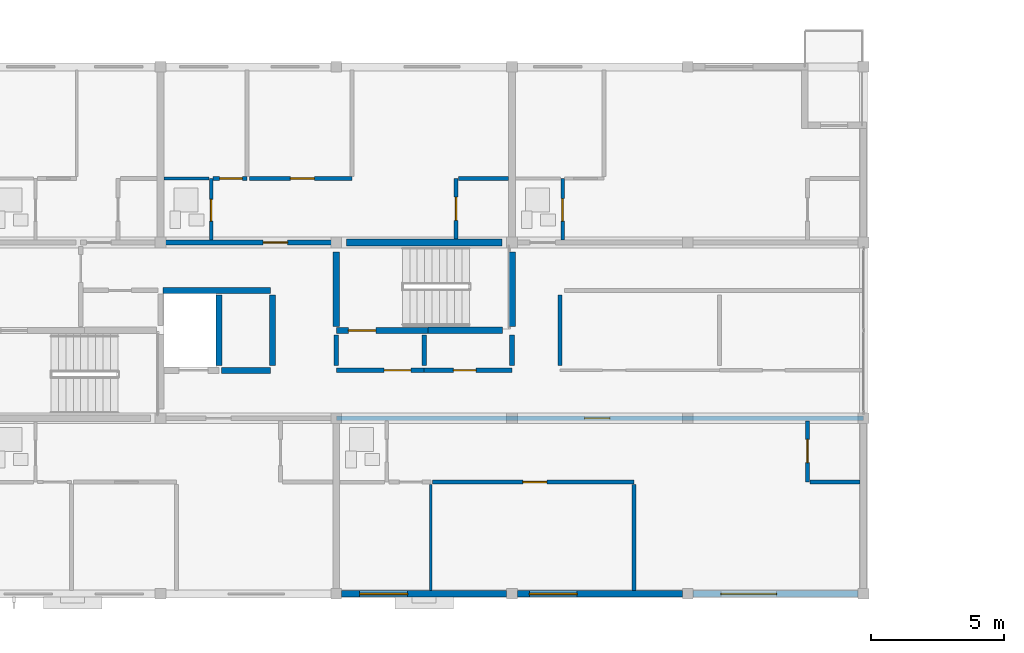
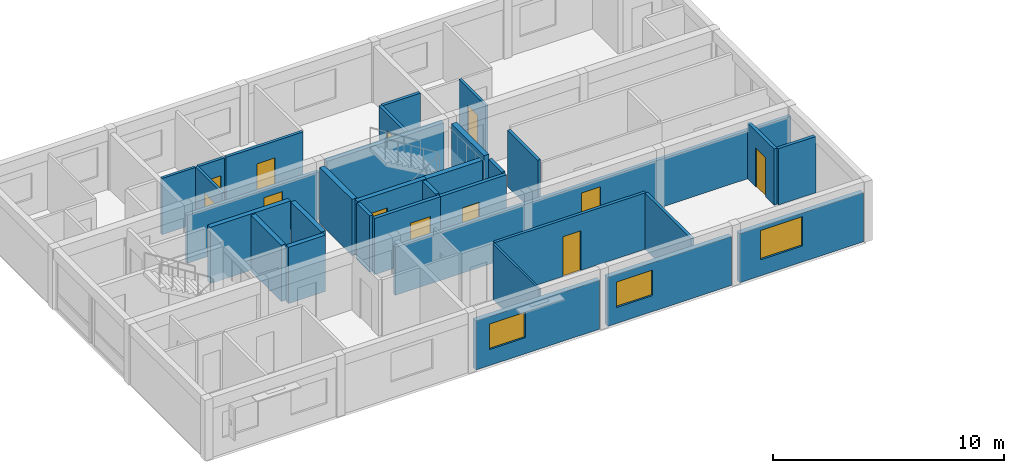
# One storey, part 9 of 15: 32 walls, 12 doors, 3 windows, 15 openings.
"""IFC4 building model written with IfcOpenShell, lengths in metres."""

import ifcopenshell
import ifcopenshell.guid

model = None  # the IFC model being written
_history = None  # IfcOwnerHistory: only IFC2X3 demands one
_inside = {}  # id of a spatial element -> (the spatial element, [elements in it])
_under = {}  # id of a project, library or spatial element -> (it, [spatial elements below it])
_declared = {}  # id of a project -> (the project, [libraries it declares])
_typed = {}  # id of a type object -> (the type object, [elements of that type])
_made_of = {}  # id of a material, layer set ... -> (it, [elements and type objects made of it])


def new_model(schema):
    """Start an empty IFC model of exactly this schema.

    Asked for "IFC4X3", IfcOpenShell would pick the latest addendum, in which some entities
    have other attributes; the version numbers below select the first issue.
    IFC2X3 requires an IfcOwnerHistory on every rooted entity: one is made here for all.
    """
    global model, _history
    if schema == "IFC4X3":
        model = ifcopenshell.file(schema_version=(4, 3, 0, 0))
    else:
        model = ifcopenshell.file(schema=schema)
    _inside.clear()
    _under.clear()
    _declared.clear()
    _typed.clear()
    _made_of.clear()
    _history = None
    if model.schema == "IFC2X3":
        org = make("IfcOrganization", Name="unknown")
        user = make(
            "IfcPersonAndOrganization",
            ThePerson=make("IfcPerson", FamilyName="unknown"),
            TheOrganization=org,
        )
        app = make(
            "IfcApplication",
            ApplicationDeveloper=org,
            Version="unknown",
            ApplicationFullName="unknown",
            ApplicationIdentifier="unknown",
        )
        _history = make(
            "IfcOwnerHistory",
            OwningUser=user,
            OwningApplication=app,
            ChangeAction="ADDED",
            CreationDate=0,
        )
    return model


def make(cls, **values):
    """One entity of the class cls with the attributes given. An attribute that is None is left unset."""
    return model.create_entity(
        cls, **{name: value for name, value in values.items() if value is not None}
    )


def rooted(cls, **values):
    """An entity with a GlobalId (a new one), such as an element, a storey or a relation."""
    return make(cls, GlobalId=ifcopenshell.guid.new(), OwnerHistory=_history, **values)


def si_unit(unit_type, name, prefix=None):
    """IfcSIUnit, for example si_unit("LENGTHUNIT", "METRE", prefix="MILLI")."""
    return make("IfcSIUnit", UnitType=unit_type, Prefix=prefix, Name=name)


def assignment(units):
    """IfcUnitAssignment: the units of a project."""
    return None if units is None else make("IfcUnitAssignment", Units=units)


def point(xyz):
    """IfcCartesianPoint."""
    return None if xyz is None else make("IfcCartesianPoint", Coordinates=xyz)


def direction(xyz):
    """IfcDirection."""
    return None if xyz is None else make("IfcDirection", DirectionRatios=xyz)


def frame(location, z_axis=None, x_axis=None):
    """IfcAxis2Placement3D, a coordinate frame: its origin and axes. An axis left out is left unset."""
    return make(
        "IfcAxis2Placement3D",
        Location=point(location),
        Axis=direction(z_axis),
        RefDirection=direction(x_axis),
    )


def frame_2d(location, x_axis=None):
    """IfcAxis2Placement2D, a coordinate frame in the plane: its origin and x axis."""
    return make(
        "IfcAxis2Placement2D", Location=point(location), RefDirection=direction(x_axis)
    )


def origin():
    """The frame at (0, 0, 0) with its axes left unset."""
    return frame((0.0, 0.0, 0.0))


def place(relative_to, where):
    """IfcLocalPlacement: puts the frame where relative to a parent placement (None: the world)."""
    return make(
        "IfcLocalPlacement", PlacementRelTo=relative_to, RelativePlacement=where
    )


def context(
    kind, dimensions, precision=None, world=None, true_north=None, identifier=None
):
    """IfcGeometricRepresentationContext, for example the 3D "Model" context."""
    return make(
        "IfcGeometricRepresentationContext",
        ContextIdentifier=identifier,
        ContextType=kind,
        CoordinateSpaceDimension=dimensions,
        Precision=precision,
        WorldCoordinateSystem=world,
        TrueNorth=true_north,
    )


def subcontext(parent, identifier, kind, view, scale=None):
    """IfcGeometricRepresentationSubContext, for example "Body" below "Model"."""
    return make(
        "IfcGeometricRepresentationSubContext",
        ContextIdentifier=identifier,
        ContextType=kind,
        ParentContext=parent,
        TargetScale=scale,
        TargetView=view,
    )


def project(units=None, contexts=None):
    """IfcProject with its units and contexts."""
    return rooted(
        "IfcProject",
        Name="project",
        RepresentationContexts=contexts,
        UnitsInContext=assignment(units),
    )


def spatial(cls, under=None, at=None, **own):
    """A site, building, storey or space (cls), placed at a placement, below another one or the project."""
    s = rooted(cls, ObjectPlacement=at, **own)
    if under is not None:
        _under.setdefault(under.id(), (under, []))[1].append(s)
    return s


def profile(cls, at=None, kind="AREA", **sizes):
    """A parametric profile (cls). Its sizes go by their IFC names, for example OverallWidth=200.0."""
    return make(cls, ProfileType=kind, Position=at, **sizes)


def rectangle(**sizes):
    """IfcRectangleProfileDef."""
    return profile("IfcRectangleProfileDef", **sizes)


def extrude(swept, where, along, depth):
    """IfcExtrudedAreaSolid: the profile swept, set in the frame where, extruded along a direction by depth."""
    return make(
        "IfcExtrudedAreaSolid",
        SweptArea=swept,
        Position=where,
        ExtrudedDirection=direction(along),
        Depth=depth,
    )


def shape(context_of_items, identifier, shape_type, items):
    """IfcShapeRepresentation: the items that make up one representation, for example the "Body"."""
    return make(
        "IfcShapeRepresentation",
        ContextOfItems=context_of_items,
        RepresentationIdentifier=identifier,
        RepresentationType=shape_type,
        Items=items,
    )


def material(Name=None, Category=None):
    """IfcMaterial."""
    return make("IfcMaterial", Name=Name, Category=Category)


def layer(
    of_material, thickness, ventilated=None, Name=None, Category=None, Priority=None
):
    """IfcMaterialLayer: one layer of a wall or slab, of a material (None: an air gap)."""
    return make(
        "IfcMaterialLayer",
        Material=of_material,
        LayerThickness=thickness,
        IsVentilated=ventilated,
        Name=Name,
        Category=Category,
        Priority=Priority,
    )


def layer_set(layers, Name=None):
    """IfcMaterialLayerSet."""
    return make("IfcMaterialLayerSet", MaterialLayers=layers, LayerSetName=Name)


def made_of(thing, what):
    """Note that an element or type object is made of a material, layer set ...; save() writes the relation."""
    if what is not None:
        _made_of.setdefault(what.id(), (what, []))[1].append(thing)
    return thing


def type_object(cls, material=None, **own):
    """A type object (cls), such as IfcWallType, which elements share."""
    return made_of(rooted(cls, **own), material)


def element(
    cls,
    number,
    at=None,
    inside=None,
    cuts=None,
    type_object=None,
    material=None,
    context=None,
    identifier="Body",
    shape_type=None,
    held_by="IfcProductDefinitionShape",
    body=None,
    shapes=None,
    **own,
):
    """One element of the class cls, such as IfcWall. Its Tag is "e" and its number.

    at: its placement. inside: the storey or other place that contains it. cuts: it is an
    opening in that element (IfcRelVoidsElement). A single representation is given by context,
    identifier, shape_type and body (its items); several are given by shapes. held_by: the class
    of the entity that holds the representations. save() writes the other relations.
    """
    e = rooted(cls, Tag="e%d" % number, ObjectPlacement=at, **own)
    if body is not None:
        shapes = [shape(context, identifier, shape_type, body)]
    if shapes is not None:
        e.Representation = make(held_by, Representations=shapes)
    if inside is not None:
        _inside.setdefault(inside.id(), (inside, []))[1].append(e)
    if cuts is not None:
        rooted(
            "IfcRelVoidsElement", RelatingBuildingElement=cuts, RelatedOpeningElement=e
        )
    if type_object is not None:
        _typed.setdefault(type_object.id(), (type_object, []))[1].append(e)
    return made_of(e, material)


def fill(opening, filler):
    """IfcRelFillsElement: the door or window that sits in an opening."""
    return rooted(
        "IfcRelFillsElement",
        RelatingOpeningElement=opening,
        RelatedBuildingElement=filler,
    )


def aggregate(whole, parts):
    """IfcRelAggregates: a whole, such as a stair, and the parts it consists of."""
    return rooted("IfcRelAggregates", RelatingObject=whole, RelatedObjects=parts)


def save(model, path):
    """Write the relations noted so far, then the file.

    IfcRelAggregates (storeys below a building ...), IfcRelContainedInSpatialStructure (elements
    in a storey), IfcRelDefinesByType, IfcRelAssociatesMaterial and IfcRelDeclares: one each for
    every whole, place, type object, material and project.
    """
    for whole, parts in _under.values():
        aggregate(whole, parts)
    for where, things in _inside.values():
        rooted(
            "IfcRelContainedInSpatialStructure",
            RelatedElements=things,
            RelatingStructure=where,
        )
    for kind, things in _typed.values():
        rooted("IfcRelDefinesByType", RelatedObjects=things, RelatingType=kind)
    for what, things in _made_of.values():
        rooted("IfcRelAssociatesMaterial", RelatedObjects=things, RelatingMaterial=what)
    for by, libraries in _declared.values():
        rooted("IfcRelDeclares", RelatingContext=by, RelatedDefinitions=libraries)
    model.write(path)


model = new_model("IFC4")

# Units and contexts
model_context = context("Model", 3, precision=1e-05, world=origin(), true_north=direction((0.0, 1.0)))
body_context = subcontext(model_context, "Body", "Model", "MODEL_VIEW")
ifc_project = project(units=[si_unit("LENGTHUNIT", "METRE"), si_unit("AREAUNIT", "SQUARE_METRE"), si_unit("VOLUMEUNIT", "CUBIC_METRE"), si_unit("PLANEANGLEUNIT", "RADIAN"), si_unit("MASSUNIT", "GRAM", prefix="KILO")], contexts=[model_context])

# Site, building, storey
site_placement = place(None, origin())
site = spatial("IfcSite", under=ifc_project, at=site_placement, CompositionType="ELEMENT")
building_placement = place(site_placement, origin())
building = spatial("IfcBuilding", under=site, at=building_placement, Name="Kernevlak Ridge Housing Community", CompositionType="ELEMENT")
storey_placement = place(building_placement, frame((0.0, 0.0, 50.0)))
storey = spatial("IfcBuildingStorey", under=building, at=storey_placement, Name="L15", CompositionType="ELEMENT", Elevation=50.0)

# Wall, opening, window
ifc_material_1 = material(Name="Concrete block masonry M10", Category="masonry")
ifc_layer_1 = layer(ifc_material_1, 0.239990234375, Name="Concrete block masonry M10")
ifc_layer_set_1 = layer_set([ifc_layer_1], Name="Concrete block masonry M10")
wall_type_1 = type_object("IfcWallType", Name="EW-06", PredefinedType="STANDARD", material=ifc_layer_set_1)
wall_1_placement = place(storey_placement, frame((29.0, 76.0, 0.0), z_axis=(0.0, 0.0, 1.0), x_axis=(1.0, 0.0, 0.0)))
wall_1 = element("IfcWall", 1, at=wall_1_placement, inside=storey, type_object=wall_type_1, Name="Exterior wall EW-06 L15 239", PredefinedType="STANDARD", context=body_context, shape_type="SweptSolid", body=[
    extrude(rectangle(XDim=6.199951171875, YDim=0.239990234375, at=frame_2d((3.10009765625, 0.0))), origin(), (0.0, 0.0, 1.0), 2.60009765625),
])
opening_1_placement = place(wall_1_placement, frame((0.675048828125, 0.0, 0.85009765625)))
opening_1 = element("IfcOpeningElement", 2, at=opening_1_placement, cuts=wall_1, Name="Opening WT-03", PredefinedType="OPENING", context=body_context, shape_type="SweptSolid", body=[
    extrude(rectangle(XDim=1.800048828125, YDim=1.35009765625, at=frame_2d((0.89990234375, 0.675048828125))), frame((0.0, 0.1298828125, 0.0), z_axis=(0.0, -1.0, 0.0), x_axis=(1.0, 0.0, 0.0)), (0.0, 0.0, 1.0), 0.260009765625),
])
ifc_material_2 = material(Name="Aluminium EN AW-6060 anodised and laminated glass", Category="aluminium")
window_type_1 = type_object("IfcWindowType", Name="WT-03", PartitioningType="SINGLE_PANEL", PredefinedType="WINDOW", material=ifc_material_2)
window_1_placement = place(opening_1_placement, origin())
window_1 = element("IfcWindow", 3, at=window_1_placement, inside=storey, type_object=window_type_1, Name="Window WT-03 L15 190", OverallHeight=1.35009765625, OverallWidth=1.800048828125, PartitioningType="SINGLE_PANEL", PredefinedType="WINDOW", context=body_context, shape_type="SweptSolid", body=[
    extrude(rectangle(XDim=1.800048828125, YDim=1.35009765625, at=frame_2d((0.89990234375, 0.675048828125))), frame((0.0, 0.030029296875, 0.0), z_axis=(0.0, -1.0, 0.0), x_axis=(1.0, 0.0, 0.0)), (0.0, 0.0, 1.0), 0.06005859375),
])
fill(opening_1, window_1)

wall_2_placement = place(storey_placement, frame((35.60009765625, 76.0, 0.0), z_axis=(0.0, 0.0, 1.0), x_axis=(1.0, 0.0, 0.0)))
wall_2 = element("IfcWall", 4, at=wall_2_placement, inside=storey, type_object=wall_type_1, Name="Exterior wall EW-06 L15 240", PredefinedType="STANDARD", context=body_context, shape_type="SweptSolid", body=[
    extrude(rectangle(XDim=6.199951171875, YDim=0.239990234375, at=frame_2d((3.10009765625, 0.0))), origin(), (0.0, 0.0, 1.0), 2.60009765625),
])
opening_2_placement = place(wall_2_placement, frame((0.449951171875, 0.0, 0.85009765625)))
opening_2 = element("IfcOpeningElement", 5, at=opening_2_placement, cuts=wall_2, Name="Opening WT-03", PredefinedType="OPENING", context=body_context, shape_type="SweptSolid", body=[
    extrude(rectangle(XDim=1.800048828125, YDim=1.35009765625, at=frame_2d((0.89990234375, 0.675048828125))), frame((0.0, 0.1298828125, 0.0), z_axis=(0.0, -1.0, 0.0), x_axis=(1.0, 0.0, 0.0)), (0.0, 0.0, 1.0), 0.260009765625),
])
window_2_placement = place(opening_2_placement, origin())
window_2 = element("IfcWindow", 6, at=window_2_placement, inside=storey, type_object=window_type_1, Name="Window WT-03 L15 191", OverallHeight=1.35009765625, OverallWidth=1.800048828125, PartitioningType="SINGLE_PANEL", PredefinedType="WINDOW", context=body_context, shape_type="SweptSolid", body=[
    extrude(rectangle(XDim=1.800048828125, YDim=1.35009765625, at=frame_2d((0.89990234375, 0.675048828125))), frame((0.0, 0.030029296875, 0.0), z_axis=(0.0, -1.0, 0.0), x_axis=(1.0, 0.0, 0.0)), (0.0, 0.0, 1.0), 0.06005859375),
])
fill(opening_2, window_2)

wall_3_placement = place(storey_placement, frame((42.199951171875, 76.0, 0.0), z_axis=(0.0, 0.0, 1.0), x_axis=(1.0, 0.0, 0.0)))
wall_3 = element("IfcWall", 7, at=wall_3_placement, inside=storey, type_object=wall_type_1, Name="Exterior wall EW-06 L15 241", PredefinedType="STANDARD", context=body_context, shape_type="SweptSolid", body=[
    extrude(rectangle(XDim=6.199951171875, YDim=0.239990234375, at=frame_2d((3.10009765625, 0.0))), origin(), (0.0, 0.0, 1.0), 2.60009765625),
])
opening_3_placement = place(wall_3_placement, frame((1.0439453125, 0.0, 0.85009765625)))
opening_3 = element("IfcOpeningElement", 8, at=opening_3_placement, cuts=wall_3, Name="Opening WT-05", PredefinedType="OPENING", context=body_context, shape_type="SweptSolid", body=[
    extrude(rectangle(XDim=2.10009765625, YDim=1.550048828125, at=frame_2d((1.050048828125, 0.77490234375))), frame((0.0, 0.1298828125, 0.0), z_axis=(0.0, -1.0, 0.0), x_axis=(1.0, 0.0, 0.0)), (0.0, 0.0, 1.0), 0.260009765625),
])
window_type_2 = type_object("IfcWindowType", Name="WT-05", PartitioningType="SINGLE_PANEL", PredefinedType="WINDOW", material=ifc_material_2)
window_3_placement = place(opening_3_placement, origin())
window_3 = element("IfcWindow", 9, at=window_3_placement, inside=storey, type_object=window_type_2, Name="Window WT-05 L15 192", OverallHeight=1.550048828125, OverallWidth=2.10009765625, PartitioningType="SINGLE_PANEL", PredefinedType="WINDOW", context=body_context, shape_type="SweptSolid", body=[
    extrude(rectangle(XDim=2.10009765625, YDim=1.550048828125, at=frame_2d((1.050048828125, 0.77490234375))), frame((0.0, 0.030029296875, 0.0), z_axis=(0.0, -1.0, 0.0), x_axis=(1.0, 0.0, 0.0)), (0.0, 0.0, 1.0), 0.06005859375),
])
fill(opening_3, window_3)

# Walls
ifc_material_3 = material(Name="Concrete C35/45", Category="concrete")
ifc_layer_2 = layer(ifc_material_3, 0.22509765625, Name="Concrete C35/45")
ifc_layer_set_2 = layer_set([ifc_layer_2], Name="Concrete C35/45")
wall_type_2 = type_object("IfcWallType", Name="PW-01", PredefinedType="STANDARD", material=ifc_layer_set_2)
wall_4_placement = place(storey_placement, frame((24.47998046875, 84.39990234375, 0.0), z_axis=(0.0, 0.0, 1.0), x_axis=(1.0, 0.0, 0.0)))
element("IfcWall", 10, at=wall_4_placement, inside=storey, type_object=wall_type_2, Name="Interior wall PW-01 WAL-INT-L15-0950", PredefinedType="STANDARD", context=body_context, shape_type="SweptSolid", body=[
    extrude(rectangle(XDim=1.840087890625, YDim=0.22509765625, at=frame_2d((0.919921875, 0.0))), origin(), (0.0, 0.0, 1.0), 2.97998046875),
])
wall_5_placement = place(storey_placement, frame((22.297607421875, 87.39990234375, 0.0), z_axis=(0.0, 0.0, 1.0), x_axis=(1.0, 0.0, 0.0)))
element("IfcWall", 11, at=wall_5_placement, inside=storey, type_object=wall_type_2, Name="Interior wall PW-01 WAL-INT-L15-0951", PredefinedType="STANDARD", context=body_context, shape_type="SweptSolid", body=[
    extrude(rectangle(XDim=4.0224609375, YDim=0.22509765625, at=frame_2d((2.01123046875, 0.0))), origin(), (0.0, 0.0, 1.0), 2.97998046875),
])
for number, where, z_axis, x_axis, name in (
    (12, (24.39990234375, 84.580078125, 0.0), (0.0, 0.0, 1.0), (0.0, 1.0, 0.0), "Interior wall PW-01 WAL-INT-L15-0953"),
    (13, (26.39990234375, 84.580078125, 0.0), (0.0, 0.0, 1.0), (0.0, 1.0, 0.0), "Interior wall PW-01 WAL-INT-L15-0954"),
):
    element("IfcWall", number, at=place(storey_placement, frame(where, z_axis=z_axis, x_axis=x_axis)), inside=storey, type_object=wall_type_2, Name=name, PredefinedType="STANDARD", context=body_context, shape_type="SweptSolid", body=[
        extrude(rectangle(XDim=2.639892578125, YDim=0.22509765625, at=frame_2d((1.31982421875, 0.0))), origin(), (0.0, 0.0, 1.0), 2.97998046875),
    ])

# Wall, opening, door
wall_6_placement = place(storey_placement, frame((28.800048828125, 85.89990234375, 0.0), z_axis=(0.0, 0.0, 1.0), x_axis=(1.0, 0.0, 0.0)))
wall_6 = element("IfcWall", 14, at=wall_6_placement, inside=storey, type_object=wall_type_2, Name="Interior wall PW-01 WAL-INT-L15-0955", PredefinedType="STANDARD", context=body_context, shape_type="SweptSolid", body=[
    extrude(rectangle(XDim=3.449951171875, YDim=0.22509765625, at=frame_2d((1.72509765625, 0.0))), origin(), (0.0, 0.0, 1.0), 2.97998046875),
])
opening_4_placement = place(wall_6_placement, frame((0.449951171875, 0.0, 0.0)))
opening_4 = element("IfcOpeningElement", 15, at=opening_4_placement, cuts=wall_6, Name="Opening D482", PredefinedType="OPENING", context=body_context, shape_type="SweptSolid", body=[
    extrude(rectangle(XDim=1.0400390625, YDim=2.1201171875, at=frame_2d((0.52001953125, 1.06005859375))), frame((0.0, 0.12255859375, 0.0), z_axis=(0.0, -1.0, 0.0), x_axis=(1.0, 0.0, 0.0)), (0.0, 0.0, 1.0), 0.2451171875),
])
ifc_material_4 = material(Name="Fire-rated sheet steel leaf", Category="steel")
door_type_1 = type_object("IfcDoorType", Name="DT-16", OperationType="NOTDEFINED", PredefinedType="DOOR", material=ifc_material_4)
door_1_placement = place(opening_4_placement, origin())
door_1 = element("IfcDoor", 16, at=door_1_placement, inside=storey, type_object=door_type_1, Name="Block A Stair 2 fire door D482", OperationType="SINGLE_SWING_RIGHT", OverallHeight=2.1201171875, OverallWidth=1.0400390625, PredefinedType="DOOR", context=body_context, shape_type="SweptSolid", body=[
    extrude(rectangle(XDim=1.0400390625, YDim=2.1201171875, at=frame_2d((0.52001953125, 1.06005859375))), frame((0.0, 0.02490234375, 0.0), z_axis=(0.0, -1.0, 0.0), x_axis=(1.0, 0.0, 0.0)), (0.0, 0.0, 1.0), 0.050048828125),
])
fill(opening_4, door_1)

ifc_layer_3 = layer(ifc_material_1, 0.175048828125, Name="Concrete block masonry M10")
ifc_layer_set_3 = layer_set([ifc_layer_3], Name="Concrete block masonry M10")
wall_type_3 = type_object("IfcWallType", Name="PW-02", PredefinedType="PARTITIONING", material=ifc_layer_set_3)
wall_7_placement = place(storey_placement, frame((28.800048828125, 84.39990234375, 0.0), z_axis=(0.0, 0.0, 1.0), x_axis=(1.0, 0.0, 0.0)))
wall_7 = element("IfcWall", 17, at=wall_7_placement, inside=storey, type_object=wall_type_3, Name="Interior wall PW-02 WAL-INT-L15-0956", PredefinedType="PARTITIONING", context=body_context, shape_type="SweptSolid", body=[
    extrude(rectangle(XDim=3.300048828125, YDim=0.175048828125, at=frame_2d((1.64990234375, 0.0))), origin(), (0.0, 0.0, 1.0), 2.97998046875),
])
opening_5_placement = place(wall_7_placement, frame((1.800048828125, 0.0, 0.0)))
opening_5 = element("IfcOpeningElement", 18, at=opening_5_placement, cuts=wall_7, Name="Opening D483", PredefinedType="OPENING", context=body_context, shape_type="SweptSolid", body=[
    extrude(rectangle(XDim=1.0, YDim=2.10009765625, at=frame_2d((0.5, 1.050048828125))), frame((0.0, 0.097412109375, 0.0), z_axis=(0.0, -1.0, 0.0), x_axis=(1.0, 0.0, 0.0)), (0.0, 0.0, 1.0), 0.195068359375),
])
door_type_2 = type_object("IfcDoorType", Name="DT-05", OperationType="NOTDEFINED", PredefinedType="DOOR", material=ifc_material_4)
door_2_placement = place(opening_5_placement, origin())
door_2 = element("IfcDoor", 19, at=door_2_placement, inside=storey, type_object=door_type_2, Name="Block A Firefighting lobby 2 door D483", OperationType="SINGLE_SWING_LEFT", OverallHeight=2.10009765625, OverallWidth=1.0, PredefinedType="DOOR", context=body_context, shape_type="SweptSolid", body=[
    extrude(rectangle(XDim=1.0, YDim=2.10009765625, at=frame_2d((0.5, 1.050048828125))), frame((0.0, 0.02490234375, 0.0), z_axis=(0.0, -1.0, 0.0), x_axis=(1.0, 0.0, 0.0)), (0.0, 0.0, 1.0), 0.050048828125),
])
fill(opening_5, door_2)

wall_8_placement = place(storey_placement, frame((32.10009765625, 84.39990234375, 0.0), z_axis=(0.0, 0.0, 1.0), x_axis=(1.0, 0.0, 0.0)))
wall_8 = element("IfcWall", 20, at=wall_8_placement, inside=storey, type_object=wall_type_3, Name="Interior wall PW-02 WAL-INT-L15-0957", PredefinedType="PARTITIONING", context=body_context, shape_type="SweptSolid", body=[
    extrude(rectangle(XDim=3.2998046875, YDim=0.175048828125, at=frame_2d((1.64990234375, 0.0))), origin(), (0.0, 0.0, 1.0), 2.97998046875),
])
opening_6_placement = place(wall_8_placement, frame((1.10009765625, 0.0, 0.0)))
opening_6 = element("IfcOpeningElement", 21, at=opening_6_placement, cuts=wall_8, Name="Opening D484", PredefinedType="OPENING", context=body_context, shape_type="SweptSolid", body=[
    extrude(rectangle(XDim=0.85009765625, YDim=2.0, at=frame_2d((0.425048828125, 1.0))), frame((0.0, 0.097412109375, 0.0), z_axis=(0.0, -1.0, 0.0), x_axis=(1.0, 0.0, 0.0)), (0.0, 0.0, 1.0), 0.195068359375),
])
door_type_3 = type_object("IfcDoorType", Name="DT-07", OperationType="NOTDEFINED", PredefinedType="DOOR", material=ifc_material_4)
door_3_placement = place(opening_6_placement, origin())
door_3 = element("IfcDoor", 22, at=door_3_placement, inside=storey, type_object=door_type_3, Name="Block A Cleaner store door D484", OperationType="SINGLE_SWING_RIGHT", OverallHeight=2.0, OverallWidth=0.85009765625, PredefinedType="DOOR", context=body_context, shape_type="SweptSolid", body=[
    extrude(rectangle(XDim=0.85009765625, YDim=2.0, at=frame_2d((0.425048828125, 1.0))), frame((0.0, 0.02490234375, 0.0), z_axis=(0.0, -1.0, 0.0), x_axis=(1.0, 0.0, 0.0)), (0.0, 0.0, 1.0), 0.050048828125),
])
fill(opening_6, door_3)

# Walls
for number, where, z_axis, x_axis, name in (
    (23, (28.800048828125, 84.580078125, 0.0), (0.0, 0.0, 1.0), (0.0, 1.0, 0.0), "Interior wall PW-02 WAL-INT-L15-0958"),
    (24, (32.10009765625, 84.580078125, 0.0), (0.0, 0.0, 1.0), (0.0, 1.0, 0.0), "Interior wall PW-02 WAL-INT-L15-0959"),
    (25, (35.39990234375, 84.580078125, 0.0), (0.0, 0.0, 1.0), (0.0, 1.0, 0.0), "Interior wall PW-02 WAL-INT-L15-0960"),
):
    element("IfcWall", number, at=place(storey_placement, frame(where, z_axis=z_axis, x_axis=x_axis)), inside=storey, type_object=wall_type_3, Name=name, PredefinedType="PARTITIONING", context=body_context, shape_type="SweptSolid", body=[
        extrude(rectangle(XDim=1.139892578125, YDim=0.175048828125, at=frame_2d((0.56982421875, 0.0))), origin(), (0.0, 0.0, 1.0), 2.97998046875),
    ])

# Wall, opening, door
wall_9_placement = place(storey_placement, frame((28.800048828125, 82.60009765625, 0.0), z_axis=(0.0, 0.0, 1.0), x_axis=(1.0, 0.0, 0.0)))
wall_9 = element("IfcWall", 26, at=wall_9_placement, inside=storey, type_object=wall_type_3, Name="Interior wall PW-02 WAL-INT-L15-0975", PredefinedType="PARTITIONING", context=body_context, shape_type="SweptSolid", body=[
    extrude(rectangle(XDim=19.800048828125, YDim=0.175048828125, at=frame_2d((9.89990234375, 0.0))), origin(), (0.0, 0.0, 1.0), 2.550048828125),
])
opening_7_placement = place(wall_9_placement, frame((9.324951171875, 0.0, 0.0)))
opening_7 = element("IfcOpeningElement", 27, at=opening_7_placement, cuts=wall_9, Name="Opening D492", PredefinedType="OPENING", context=body_context, shape_type="SweptSolid", body=[
    extrude(rectangle(XDim=0.949951171875, YDim=2.159912109375, at=frame_2d((0.47509765625, 1.080078125))), frame((0.0, 0.097412109375, 0.0), z_axis=(0.0, -1.0, 0.0), x_axis=(1.0, 0.0, 0.0)), (0.0, 0.0, 1.0), 0.195068359375),
])
ifc_material_5 = material(Name="Hardwood timber solid-core fire leaf", Category="wood")
door_type_4 = type_object("IfcDoorType", Name="DT-02", OperationType="NOTDEFINED", PredefinedType="DOOR", material=ifc_material_5)
door_4_placement = place(opening_7_placement, origin())
door_4 = element("IfcDoor", 28, at=door_4_placement, inside=storey, type_object=door_type_4, Name="Flat A1512 entrance fire door D492", OperationType="SINGLE_SWING_RIGHT", OverallHeight=2.159912109375, OverallWidth=0.949951171875, PredefinedType="DOOR", context=body_context, shape_type="SweptSolid", body=[
    extrude(rectangle(XDim=0.949951171875, YDim=2.159912109375, at=frame_2d((0.47509765625, 1.080078125))), frame((0.0, 0.02490234375, 0.0), z_axis=(0.0, -1.0, 0.0), x_axis=(1.0, 0.0, 0.0)), (0.0, 0.0, 1.0), 0.050048828125),
])
fill(opening_7, door_4)

wall_10_placement = place(storey_placement, frame((22.199951171875, 89.199951171875, 0.0), z_axis=(0.0, 0.0, 1.0), x_axis=(1.0, 0.0, 0.0)))
wall_10 = element("IfcWall", 29, at=wall_10_placement, inside=storey, type_object=wall_type_3, Name="Interior wall PW-02 WAL-INT-L15-0992", PredefinedType="PARTITIONING", context=body_context, shape_type="SweptSolid", body=[
    extrude(rectangle(XDim=6.60009765625, YDim=0.175048828125, at=frame_2d((3.300048828125, 0.0))), origin(), (0.0, 0.0, 1.0), 2.550048828125),
])
opening_8_placement = place(wall_10_placement, frame((3.85009765625, 0.0, 0.0)))
opening_8 = element("IfcOpeningElement", 30, at=opening_8_placement, cuts=wall_10, Name="Opening D501", PredefinedType="OPENING", context=body_context, shape_type="SweptSolid", body=[
    extrude(rectangle(XDim=0.919921875, YDim=2.139892578125, at=frame_2d((0.4599609375, 1.06982421875))), frame((0.0, 0.097412109375, 0.0), z_axis=(0.0, -1.0, 0.0), x_axis=(1.0, 0.0, 0.0)), (0.0, 0.0, 1.0), 0.195068359375),
])
door_type_5 = type_object("IfcDoorType", Name="DT-20", OperationType="NOTDEFINED", PredefinedType="DOOR", material=ifc_material_5)
door_5_placement = place(opening_8_placement, origin())
door_5 = element("IfcDoor", 31, at=door_5_placement, inside=storey, type_object=door_type_5, Name="Flat A1522 entrance fire door D501", OperationType="SINGLE_SWING_LEFT", OverallHeight=2.139892578125, OverallWidth=0.919921875, PredefinedType="DOOR", context=body_context, shape_type="SweptSolid", body=[
    extrude(rectangle(XDim=0.919921875, YDim=2.139892578125, at=frame_2d((0.4599609375, 1.06982421875))), frame((0.0, 0.02490234375, 0.0), z_axis=(0.0, -1.0, 0.0), x_axis=(1.0, 0.0, 0.0)), (0.0, 0.0, 1.0), 0.050048828125),
])
fill(opening_8, door_5)

# Wall
ifc_layer_4 = layer(ifc_material_1, 0.14501953125, Name="Concrete block masonry M10")
ifc_layer_set_4 = layer_set([ifc_layer_4], Name="Concrete block masonry M10")
wall_type_4 = type_object("IfcWallType", Name="PW-03", PredefinedType="PARTITIONING", material=ifc_layer_set_4)
wall_11_placement = place(storey_placement, frame((37.199951171875, 84.580078125, 0.0), z_axis=(0.0, 0.0, 1.0), x_axis=(0.0, 1.0, 0.0)))
element("IfcWall", 32, at=wall_11_placement, inside=storey, type_object=wall_type_4, Name="Interior wall PW-03 WAL-INT-L15-0965", PredefinedType="PARTITIONING", context=body_context, shape_type="SweptSolid", body=[
    extrude(rectangle(XDim=2.639892578125, YDim=0.14501953125, at=frame_2d((1.31982421875, 0.0))), origin(), (0.0, 0.0, 1.0), 2.97998046875),
])

# Wall, opening, door
wall_12_placement = place(storey_placement, frame((32.41259765625, 80.199951171875, 0.0), z_axis=(0.0, 0.0, 1.0), x_axis=(1.0, 0.0, 0.0)))
wall_12 = element("IfcWall", 33, at=wall_12_placement, inside=storey, type_object=wall_type_4, Name="Interior wall PW-03 WAL-INT-L15-0982", PredefinedType="PARTITIONING", context=body_context, shape_type="SweptSolid", body=[
    extrude(rectangle(XDim=7.575439453125, YDim=0.14501953125, at=frame_2d((3.78759765625, 0.0))), origin(), (0.0, 0.0, 1.0), 2.97998046875),
])
opening_9_placement = place(wall_12_placement, frame((3.39404296875, 0.0, 0.0)))
opening_9 = element("IfcOpeningElement", 34, at=opening_9_placement, cuts=wall_12, Name="Opening D496", PredefinedType="OPENING", context=body_context, shape_type="SweptSolid", body=[
    extrude(rectangle(XDim=0.89990234375, YDim=2.10009765625, at=frame_2d((0.449951171875, 1.050048828125))), frame((0.0, 0.08251953125, 0.0), z_axis=(0.0, -1.0, 0.0), x_axis=(1.0, 0.0, 0.0)), (0.0, 0.0, 1.0), 0.1650390625),
])
ifc_material_6 = material(Name="Hardwood timber leaf", Category="wood")
door_type_6 = type_object("IfcDoorType", Name="DT-21", OperationType="NOTDEFINED", PredefinedType="DOOR", material=ifc_material_6)
door_6_placement = place(opening_9_placement, origin())
door_6 = element("IfcDoor", 35, at=door_6_placement, inside=storey, type_object=door_type_6, Name="Flat A1512 bedroom door D496", OperationType="SINGLE_SWING_RIGHT", OverallHeight=2.10009765625, OverallWidth=0.89990234375, PredefinedType="DOOR", context=body_context, shape_type="SweptSolid", body=[
    extrude(rectangle(XDim=0.89990234375, YDim=2.10009765625, at=frame_2d((0.449951171875, 1.050048828125))), frame((0.0, 0.02490234375, 0.0), z_axis=(0.0, -1.0, 0.0), x_axis=(1.0, 0.0, 0.0)), (0.0, 0.0, 1.0), 0.050048828125),
])
fill(opening_9, door_6)

# Wall
wall_13_placement = place(storey_placement, frame((39.988037109375, 80.117431640625, 0.0), z_axis=(0.0, 0.0, 1.0), x_axis=(0.0, -1.0, 0.0)))
element("IfcWall", 36, at=wall_13_placement, inside=storey, type_object=wall_type_4, Name="Interior wall PW-03 WAL-INT-L15-0983", PredefinedType="PARTITIONING", context=body_context, shape_type="SweptSolid", body=[
    extrude(rectangle(XDim=3.987548828125, YDim=0.14501953125, at=frame_2d((1.99365234375, 0.0))), origin(), (0.0, 0.0, 1.0), 2.97998046875),
])

# Wall, opening, door
wall_14_placement = place(storey_placement, frame((24.172607421875, 91.60009765625, 0.0), z_axis=(0.0, 0.0, 1.0), x_axis=(1.0, 0.0, 0.0)))
wall_14 = element("IfcWall", 37, at=wall_14_placement, inside=storey, type_object=wall_type_4, Name="Interior wall PW-03 WAL-INT-L15-0997", PredefinedType="PARTITIONING", context=body_context, shape_type="SweptSolid", body=[
    extrude(rectangle(XDim=1.27734375, YDim=0.14501953125, at=frame_2d((0.638671875, 0.0))), origin(), (0.0, 0.0, 1.0), 2.97998046875),
])
opening_10_placement = place(wall_14_placement, frame((0.25, 0.0, 0.0)))
opening_10 = element("IfcOpeningElement", 38, at=opening_10_placement, cuts=wall_14, Name="Opening D504", PredefinedType="OPENING", context=body_context, shape_type="SweptSolid", body=[
    extrude(rectangle(XDim=0.85009765625, YDim=2.10009765625, at=frame_2d((0.425048828125, 1.050048828125))), frame((0.0, 0.08251953125, 0.0), z_axis=(0.0, -1.0, 0.0), x_axis=(1.0, 0.0, 0.0)), (0.0, 0.0, 1.0), 0.1650390625),
])
door_type_7 = type_object("IfcDoorType", Name="DT-03", OperationType="NOTDEFINED", PredefinedType="DOOR", material=ifc_material_6)
door_7_placement = place(opening_10_placement, origin())
door_7 = element("IfcDoor", 39, at=door_7_placement, inside=storey, type_object=door_type_7, Name="Flat A1522 bedroom door D504", OperationType="SINGLE_SWING_RIGHT", OverallHeight=2.10009765625, OverallWidth=0.85009765625, PredefinedType="DOOR", context=body_context, shape_type="SweptSolid", body=[
    extrude(rectangle(XDim=0.85009765625, YDim=2.10009765625, at=frame_2d((0.425048828125, 1.050048828125))), frame((0.0, 0.02490234375, 0.0), z_axis=(0.0, -1.0, 0.0), x_axis=(1.0, 0.0, 0.0)), (0.0, 0.0, 1.0), 0.050048828125),
])
fill(opening_10, door_7)

wall_15_placement = place(storey_placement, frame((25.532470703125, 91.60009765625, 0.0), z_axis=(0.0, 0.0, 1.0), x_axis=(1.0, 0.0, 0.0)))
wall_15 = element("IfcWall", 40, at=wall_15_placement, inside=storey, type_object=wall_type_4, Name="Interior wall PW-03 WAL-INT-L15-0999", PredefinedType="PARTITIONING", context=body_context, shape_type="SweptSolid", body=[
    extrude(rectangle(XDim=3.859619140625, YDim=0.14501953125, at=frame_2d((1.9296875, 0.0))), origin(), (0.0, 0.0, 1.0), 2.97998046875),
])
opening_11_placement = place(wall_15_placement, frame((1.5458984375, 0.0, 0.0)))
opening_11 = element("IfcOpeningElement", 41, at=opening_11_placement, cuts=wall_15, Name="Opening D505", PredefinedType="OPENING", context=body_context, shape_type="SweptSolid", body=[
    extrude(rectangle(XDim=0.89990234375, YDim=2.10009765625, at=frame_2d((0.449951171875, 1.050048828125))), frame((0.0, 0.08251953125, 0.0), z_axis=(0.0, -1.0, 0.0), x_axis=(1.0, 0.0, 0.0)), (0.0, 0.0, 1.0), 0.1650390625),
])
door_8_placement = place(opening_11_placement, origin())
door_8 = element("IfcDoor", 42, at=door_8_placement, inside=storey, type_object=door_type_6, Name="Flat A1522 bedroom door D505", OperationType="SINGLE_SWING_LEFT", OverallHeight=2.10009765625, OverallWidth=0.89990234375, PredefinedType="DOOR", context=body_context, shape_type="SweptSolid", body=[
    extrude(rectangle(XDim=0.89990234375, YDim=2.10009765625, at=frame_2d((0.449951171875, 1.050048828125))), frame((0.0, 0.02490234375, 0.0), z_axis=(0.0, -1.0, 0.0), x_axis=(1.0, 0.0, 0.0)), (0.0, 0.0, 1.0), 0.050048828125),
])
fill(opening_11, door_8)

ifc_material_7 = material(Name="Gypsum plasterboard EN 520", Category="gypsum")
ifc_layer_5 = layer(ifc_material_7, 0.125, Name="Gypsum plasterboard EN 520")
ifc_layer_set_5 = layer_set([ifc_layer_5], Name="Gypsum plasterboard EN 520")
wall_type_5 = type_object("IfcWallType", Name="PW-04", PredefinedType="PARTITIONING", material=ifc_layer_set_5)
wall_16_placement = place(storey_placement, frame((24.10009765625, 89.297607421875, 0.0), z_axis=(0.0, 0.0, 1.0), x_axis=(0.0, 1.0, 0.0)))
wall_16 = element("IfcWall", 43, at=wall_16_placement, inside=storey, type_object=wall_type_5, Name="Interior wall PW-04 WAL-INT-L15-0993", PredefinedType="PARTITIONING", context=body_context, shape_type="SweptSolid", body=[
    extrude(rectangle(XDim=2.302490234375, YDim=0.125, at=frame_2d((1.1513671875, 0.0))), origin(), (0.0, 0.0, 1.0), 2.97998046875),
])
opening_12_placement = place(wall_16_placement, frame((0.699951171875, 0.0, 0.0)))
opening_12 = element("IfcOpeningElement", 44, at=opening_12_placement, cuts=wall_16, Name="Opening D502", PredefinedType="OPENING", context=body_context, shape_type="SweptSolid", body=[
    extrude(rectangle(XDim=0.820068359375, YDim=2.050048828125, at=frame_2d((0.41015625, 1.02490234375))), frame((0.0, 0.072509765625, 0.0), z_axis=(0.0, -1.0, 0.0), x_axis=(1.0, 0.0, 0.0)), (0.0, 0.0, 1.0), 0.14501953125),
])
ifc_material_8 = material(Name="Hardwood timber moisture-resistant leaf", Category="wood")
door_type_8 = type_object("IfcDoorType", Name="DT-30", OperationType="NOTDEFINED", PredefinedType="DOOR", material=ifc_material_8)
door_9_placement = place(opening_12_placement, origin())
door_9 = element("IfcDoor", 45, at=door_9_placement, inside=storey, type_object=door_type_8, Name="Flat A1522 bathroom door D502", OperationType="SINGLE_SWING_RIGHT", OverallHeight=2.050048828125, OverallWidth=0.820068359375, PredefinedType="DOOR", context=body_context, shape_type="SweptSolid", body=[
    extrude(rectangle(XDim=0.820068359375, YDim=2.050048828125, at=frame_2d((0.41015625, 1.02490234375))), frame((0.0, 0.02490234375, 0.0), z_axis=(0.0, -1.0, 0.0), x_axis=(1.0, 0.0, 0.0)), (0.0, 0.0, 1.0), 0.050048828125),
])
fill(opening_12, door_9)

# Wall
wall_17_placement = place(storey_placement, frame((22.3349609375, 91.60009765625, 0.0), z_axis=(0.0, 0.0, 1.0), x_axis=(1.0, 0.0, 0.0)))
element("IfcWall", 46, at=wall_17_placement, inside=storey, type_object=wall_type_5, Name="Interior wall PW-04 WAL-INT-L15-0994", PredefinedType="PARTITIONING", context=body_context, shape_type="SweptSolid", body=[
    extrude(rectangle(XDim=1.68505859375, YDim=0.125, at=frame_2d((0.842529296875, 0.0))), origin(), (0.0, 0.0, 1.0), 2.97998046875),
])

# Wall, opening, door
wall_18_placement = place(storey_placement, frame((37.300048828125, 89.297607421875, 0.0), z_axis=(0.0, 0.0, 1.0), x_axis=(0.0, 1.0, 0.0)))
wall_18 = element("IfcWall", 47, at=wall_18_placement, inside=storey, type_object=wall_type_5, Name="Interior wall PW-04 WAL-INT-L15-1002", PredefinedType="PARTITIONING", context=body_context, shape_type="SweptSolid", body=[
    extrude(rectangle(XDim=2.302490234375, YDim=0.125, at=frame_2d((1.1513671875, 0.0))), origin(), (0.0, 0.0, 1.0), 2.97998046875),
])
opening_13_placement = place(wall_18_placement, frame((0.699951171875, 0.0, 0.0)))
opening_13 = element("IfcOpeningElement", 48, at=opening_13_placement, cuts=wall_18, Name="Opening D507", PredefinedType="OPENING", context=body_context, shape_type="SweptSolid", body=[
    extrude(rectangle(XDim=0.85009765625, YDim=2.0400390625, at=frame_2d((0.425048828125, 1.02001953125))), frame((0.0, 0.072509765625, 0.0), z_axis=(0.0, -1.0, 0.0), x_axis=(1.0, 0.0, 0.0)), (0.0, 0.0, 1.0), 0.14501953125),
])
door_type_9 = type_object("IfcDoorType", Name="DT-04", OperationType="NOTDEFINED", PredefinedType="DOOR", material=ifc_material_8)
door_10_placement = place(opening_13_placement, origin())
door_10 = element("IfcDoor", 49, at=door_10_placement, inside=storey, type_object=door_type_9, Name="Flat A1523 bathroom door D507", OperationType="SINGLE_SWING_LEFT", OverallHeight=2.0400390625, OverallWidth=0.85009765625, PredefinedType="DOOR", context=body_context, shape_type="SweptSolid", body=[
    extrude(rectangle(XDim=0.85009765625, YDim=2.0400390625, at=frame_2d((0.425048828125, 1.02001953125))), frame((0.0, 0.02490234375, 0.0), z_axis=(0.0, -1.0, 0.0), x_axis=(1.0, 0.0, 0.0)), (0.0, 0.0, 1.0), 0.050048828125),
])
fill(opening_13, door_10)

ifc_layer_6 = layer(ifc_material_7, 0.155029296875, Name="Gypsum plasterboard EN 520")
ifc_layer_set_6 = layer_set([ifc_layer_6], Name="Gypsum plasterboard EN 520")
wall_type_6 = type_object("IfcWallType", Name="PW-05", PredefinedType="PARTITIONING", material=ifc_layer_set_6)
wall_19_placement = place(storey_placement, frame((46.5, 82.50244140625, 0.0), z_axis=(0.0, 0.0, 1.0), x_axis=(0.0, -1.0, 0.0)))
wall_19 = element("IfcWall", 50, at=wall_19_placement, inside=storey, type_object=wall_type_6, Name="Interior wall PW-05 WAL-INT-L15-0978", PredefinedType="PARTITIONING", context=body_context, shape_type="SweptSolid", body=[
    extrude(rectangle(XDim=2.302490234375, YDim=0.155029296875, at=frame_2d((1.1513671875, 0.0))), origin(), (0.0, 0.0, 1.0), 2.97998046875),
])
opening_14_placement = place(wall_19_placement, frame((0.699951171875, 0.0, 0.0)))
opening_14 = element("IfcOpeningElement", 51, at=opening_14_placement, cuts=wall_19, Name="Opening D494", PredefinedType="OPENING", context=body_context, shape_type="SweptSolid", body=[
    extrude(rectangle(XDim=0.8701171875, YDim=2.080078125, at=frame_2d((0.43505859375, 1.0400390625))), frame((0.0, 0.08740234375, 0.0), z_axis=(0.0, -1.0, 0.0), x_axis=(1.0, 0.0, 0.0)), (0.0, 0.0, 1.0), 0.175048828125),
])
door_type_10 = type_object("IfcDoorType", Name="DT-32", OperationType="NOTDEFINED", PredefinedType="DOOR", material=ifc_material_6)
door_11_placement = place(opening_14_placement, origin())
door_11 = element("IfcDoor", 52, at=door_11_placement, inside=storey, type_object=door_type_10, Name="Flat A1512 kitchen door D494", OperationType="SINGLE_SWING_RIGHT", OverallHeight=2.080078125, OverallWidth=0.8701171875, PredefinedType="DOOR", context=body_context, shape_type="SweptSolid", body=[
    extrude(rectangle(XDim=0.8701171875, YDim=2.080078125, at=frame_2d((0.43505859375, 1.0400390625))), frame((0.0, 0.02490234375, 0.0), z_axis=(0.0, -1.0, 0.0), x_axis=(1.0, 0.0, 0.0)), (0.0, 0.0, 1.0), 0.050048828125),
])
fill(opening_14, door_11)

# Wall
wall_20_placement = place(storey_placement, frame((46.58740234375, 80.199951171875, 0.0), z_axis=(0.0, 0.0, 1.0), x_axis=(1.0, 0.0, 0.0)))
element("IfcWall", 53, at=wall_20_placement, inside=storey, type_object=wall_type_6, Name="Interior wall PW-05 WAL-INT-L15-0979", PredefinedType="PARTITIONING", context=body_context, shape_type="SweptSolid", body=[
    extrude(rectangle(XDim=1.882568359375, YDim=0.155029296875, at=frame_2d((0.94140625, 0.0))), origin(), (0.0, 0.0, 1.0), 2.97998046875),
])

# Wall, opening, door
wall_21_placement = place(storey_placement, frame((33.300048828125, 89.3349609375, 0.0), z_axis=(0.0, 0.0, 1.0), x_axis=(0.0, 1.0, 0.0)))
wall_21 = element("IfcWall", 54, at=wall_21_placement, inside=storey, type_object=wall_type_6, Name="Interior wall PW-05 WAL-INT-L15-0995", PredefinedType="PARTITIONING", context=body_context, shape_type="SweptSolid", body=[
    extrude(rectangle(XDim=2.26513671875, YDim=0.155029296875, at=frame_2d((1.132568359375, 0.0))), origin(), (0.0, 0.0, 1.0), 2.97998046875),
])
opening_15_placement = place(wall_21_placement, frame((0.699951171875, 0.0, 0.0)))
opening_15 = element("IfcOpeningElement", 55, at=opening_15_placement, cuts=wall_21, Name="Opening D503", PredefinedType="OPENING", context=body_context, shape_type="SweptSolid", body=[
    extrude(rectangle(XDim=0.8701171875, YDim=2.080078125, at=frame_2d((0.43505859375, 1.0400390625))), frame((0.0, 0.08740234375, 0.0), z_axis=(0.0, -1.0, 0.0), x_axis=(1.0, 0.0, 0.0)), (0.0, 0.0, 1.0), 0.175048828125),
])
door_12_placement = place(opening_15_placement, origin())
door_12 = element("IfcDoor", 56, at=door_12_placement, inside=storey, type_object=door_type_10, Name="Flat A1522 kitchen door D503", OperationType="SINGLE_SWING_LEFT", OverallHeight=2.080078125, OverallWidth=0.8701171875, PredefinedType="DOOR", context=body_context, shape_type="SweptSolid", body=[
    extrude(rectangle(XDim=0.8701171875, YDim=2.080078125, at=frame_2d((0.43505859375, 1.0400390625))), frame((0.0, 0.02490234375, 0.0), z_axis=(0.0, -1.0, 0.0), x_axis=(1.0, 0.0, 0.0)), (0.0, 0.0, 1.0), 0.050048828125),
])
fill(opening_15, door_12)

# Walls
wall_22_placement = place(storey_placement, frame((33.387451171875, 91.60009765625, 0.0), z_axis=(0.0, 0.0, 1.0), x_axis=(1.0, 0.0, 0.0)))
element("IfcWall", 57, at=wall_22_placement, inside=storey, type_object=wall_type_6, Name="Interior wall PW-05 WAL-INT-L15-0996", PredefinedType="PARTITIONING", context=body_context, shape_type="SweptSolid", body=[
    extrude(rectangle(XDim=1.87744140625, YDim=0.155029296875, at=frame_2d((0.938720703125, 0.0))), origin(), (0.0, 0.0, 1.0), 2.97998046875),
])
ifc_layer_7 = layer(ifc_material_7, 0.10498046875, Name="Gypsum plasterboard EN 520")
ifc_layer_set_7 = layer_set([ifc_layer_7], Name="Gypsum plasterboard EN 520")
wall_type_7 = type_object("IfcWallType", Name="PW-06", PredefinedType="PARTITIONING", material=ifc_layer_set_7)
wall_23_placement = place(storey_placement, frame((32.35009765625, 80.117431640625, 0.0), z_axis=(0.0, 0.0, 1.0), x_axis=(0.0, -1.0, 0.0)))
element("IfcWall", 58, at=wall_23_placement, inside=storey, type_object=wall_type_7, Name="Interior wall PW-06 WAL-INT-L15-0981", PredefinedType="PARTITIONING", context=body_context, shape_type="SweptSolid", body=[
    extrude(rectangle(XDim=3.987548828125, YDim=0.10498046875, at=frame_2d((1.99365234375, 0.0))), origin(), (0.0, 0.0, 1.0), 2.97998046875),
])
ifc_material_9 = material(Name="Concrete C40/50", Category="concrete")
ifc_layer_8 = layer(ifc_material_9, 0.25, Name="Concrete C40/50")
ifc_layer_set_8 = layer_set([ifc_layer_8], Name="Concrete C40/50")
wall_type_8 = type_object("IfcWallType", Name="SW-03", PredefinedType="SHEAR", material=ifc_layer_set_8)
wall_24_placement = place(storey_placement, frame((29.179931640625, 89.199951171875, 0.0), z_axis=(0.0, 0.0, 1.0), x_axis=(1.0, 0.0, 0.0)))
element("IfcWall", 59, at=wall_24_placement, inside=storey, type_object=wall_type_8, Name="Shear wall SW-03 Block A L15 164", PredefinedType="SHEAR", context=body_context, shape_type="SweptSolid", body=[
    extrude(rectangle(XDim=5.840087890625, YDim=0.25, at=frame_2d((2.919921875, 0.0))), origin(), (0.0, 0.0, 1.0), 2.97998046875),
])
for number, where, z_axis, x_axis, name in (
    (60, (32.25, 85.89990234375, 0.0), (0.0, 0.0, 1.0), (1.0, 0.0, 0.0), "Shear wall SW-03 Block A L15 165"),
    (61, (28.800048828125, 86.050048828125, 0.0), (0.0, 0.0, 1.0), (0.0, 1.0, 0.0), "Shear wall SW-03 Block A L15 166"),
    (62, (35.39990234375, 86.050048828125, 0.0), (0.0, 0.0, 1.0), (0.0, 1.0, 0.0), "Shear wall SW-03 Block A L15 167"),
):
    element("IfcWall", number, at=place(storey_placement, frame(where, z_axis=z_axis, x_axis=x_axis)), inside=storey, type_object=wall_type_8, Name=name, PredefinedType="SHEAR", context=body_context, shape_type="SweptSolid", body=[
        extrude(rectangle(XDim=2.800048828125, YDim=0.25, at=frame_2d((1.39990234375, 0.0))), origin(), (0.0, 0.0, 1.0), 2.97998046875),
    ])

save(model, "model.ifc")
